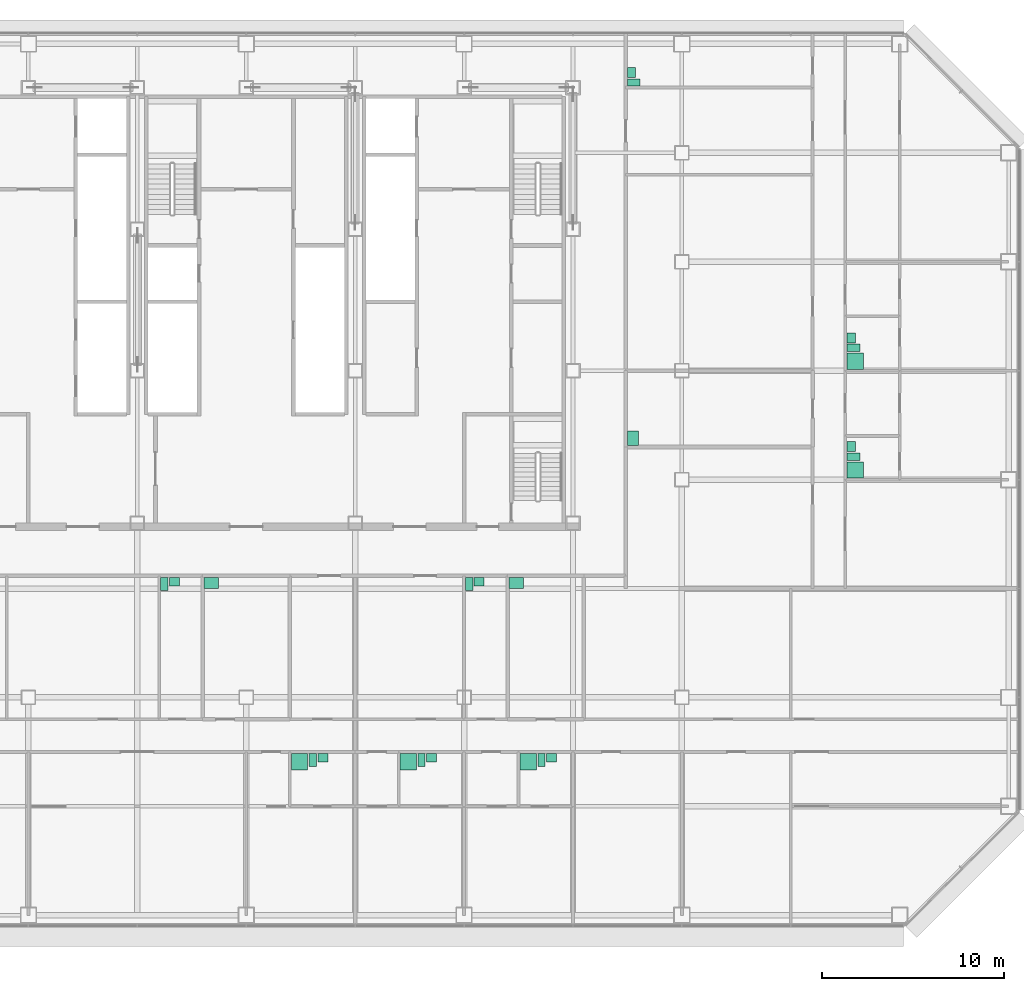
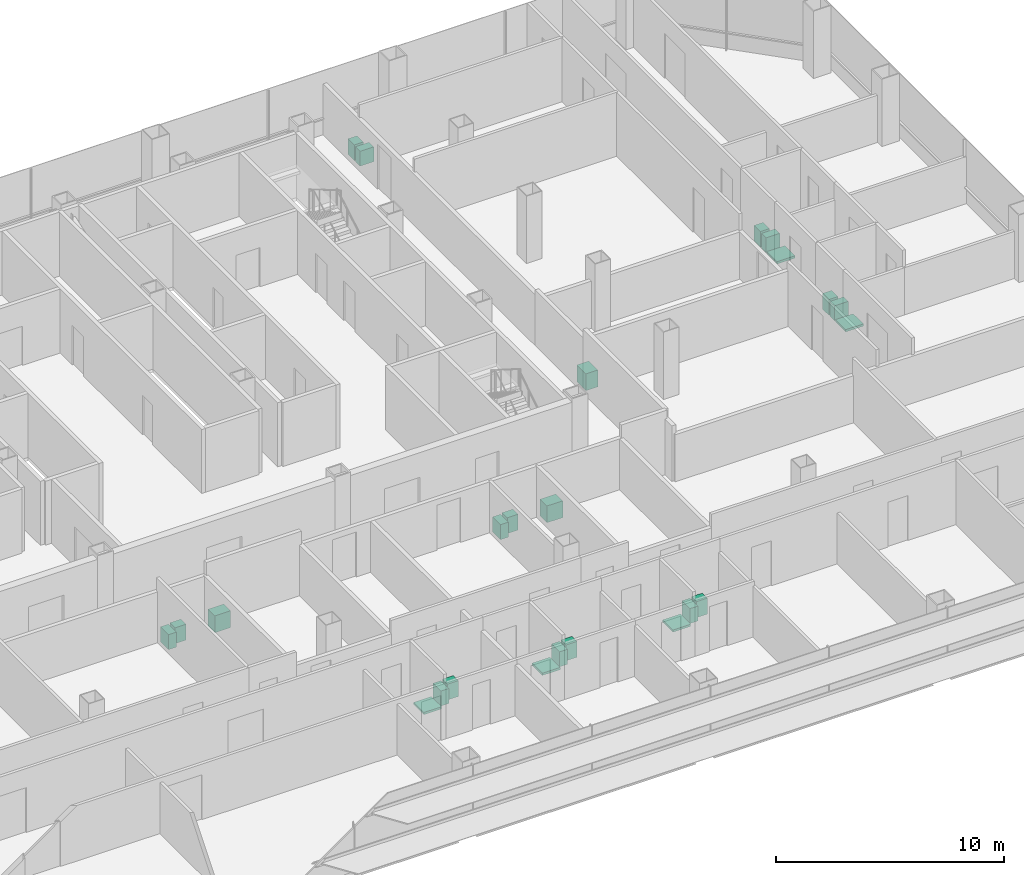
# One storey, part 26 of 26: 24 sanitary terminals.
"""IFC4 building model written with IfcOpenShell, lengths in metres."""

from ifc_helpers import new_model, si_unit, direction, frame, origin, origin_2d, place, context, subcontext, project, spatial, rectangle, extrude, element, save


model = new_model("IFC4")

# Units and contexts
model_context = context("Model", 3, precision=1e-05, world=origin(), true_north=direction((0.0, 1.0)))
body_context = subcontext(model_context, "Body", "Model", "MODEL_VIEW")
ifc_project = project(units=[si_unit("LENGTHUNIT", "METRE"), si_unit("AREAUNIT", "SQUARE_METRE"), si_unit("VOLUMEUNIT", "CUBIC_METRE"), si_unit("PLANEANGLEUNIT", "RADIAN"), si_unit("MASSUNIT", "GRAM", prefix="KILO")], contexts=[model_context])

# Site, building, storey
site_placement = place(None, origin())
site = spatial("IfcSite", under=ifc_project, at=site_placement, CompositionType="ELEMENT")
building_placement = place(site_placement, origin())
building = spatial("IfcBuilding", under=site, at=building_placement, Name="Sorahane Residences", CompositionType="ELEMENT")
storey_placement = place(building_placement, frame((0.0, 0.0, 71.39990234375)))
storey = spatial("IfcBuildingStorey", under=building, at=storey_placement, Name="L14", CompositionType="ELEMENT", Elevation=71.39990234375)

# Sanitary terminals
sanitary_terminal_1_placement = place(storey_placement, frame((26.929931640625, 8.449951171875, 0.0), z_axis=(0.0, 0.0, 1.0), x_axis=(1.0, 0.0, 0.0)))
element("IfcSanitaryTerminal", 1, at=sanitary_terminal_1_placement, inside=storey, Name="Shower tray En-suite bathroom 14A", PredefinedType="SHOWER", context=body_context, shape_type="SweptSolid", body=[
    extrude(rectangle(XDim=0.89990234375, YDim=0.89990234375, at=origin_2d()), origin(), (0.0, 0.0, 1.0), 0.1201171875),
])
sanitary_terminal_2_placement = place(storey_placement, frame((27.659912109375, 8.550048828125, 0.0), z_axis=(0.0, 0.0, 1.0), x_axis=(1.0, 0.0, 0.0)))
element("IfcSanitaryTerminal", 2, at=sanitary_terminal_2_placement, inside=storey, Name="WC pan En-suite bathroom 14A", PredefinedType="TOILETPAN", context=body_context, shape_type="SweptSolid", body=[
    extrude(rectangle(XDim=0.39990234375, YDim=0.699951171875, at=origin_2d()), origin(), (0.0, 0.0, 1.0), 0.800048828125),
])
sanitary_terminal_3_placement = place(storey_placement, frame((28.215087890625, 8.675048828125, 0.0), z_axis=(0.0, 0.0, 1.0), x_axis=(1.0, 0.0, 0.0)))
element("IfcSanitaryTerminal", 3, at=sanitary_terminal_3_placement, inside=storey, Name="Wash basin En-suite bathroom 14A", PredefinedType="WASHHANDBASIN", context=body_context, shape_type="SweptSolid", body=[
    extrude(rectangle(XDim=0.550048828125, YDim=0.449951171875, at=origin_2d()), origin(), (0.0, 0.0, 1.0), 0.85009765625),
])
sanitary_terminal_4_placement = place(storey_placement, frame((19.47998046875, 18.25, 0.0), z_axis=(0.0, 0.0, 1.0), x_axis=(1.0, 0.0, 0.0)))
element("IfcSanitaryTerminal", 4, at=sanitary_terminal_4_placement, inside=storey, Name="WC pan Guest WC 14A", PredefinedType="TOILETPAN", context=body_context, shape_type="SweptSolid", body=[
    extrude(rectangle(XDim=0.39990234375, YDim=0.699951171875, at=origin_2d()), origin(), (0.0, 0.0, 1.0), 0.800048828125),
])
sanitary_terminal_5_placement = place(storey_placement, frame((20.034912109375, 18.375, 0.0), z_axis=(0.0, 0.0, 1.0), x_axis=(1.0, 0.0, 0.0)))
element("IfcSanitaryTerminal", 5, at=sanitary_terminal_5_placement, inside=storey, Name="Wash basin Guest WC 14A", PredefinedType="WASHHANDBASIN", context=body_context, shape_type="SweptSolid", body=[
    extrude(rectangle(XDim=0.550048828125, YDim=0.449951171875, at=origin_2d()), origin(), (0.0, 0.0, 1.0), 0.85009765625),
])
sanitary_terminal_6_placement = place(storey_placement, frame((22.080078125, 18.300048828125, 0.000244140625), z_axis=(0.0, 0.0, 1.0), x_axis=(1.0, 0.0, 0.0)))
element("IfcSanitaryTerminal", 6, at=sanitary_terminal_6_placement, inside=storey, Name="Kitchen sink Kitchen 14A", PredefinedType="SINK", context=body_context, shape_type="SweptSolid", body=[
    extrude(rectangle(XDim=0.800048828125, YDim=0.60009765625, at=origin_2d()), origin(), (0.0, 0.0, 1.0), 0.89990234375),
])
sanitary_terminal_7_placement = place(storey_placement, frame((32.929931640625, 8.449951171875, 0.0), z_axis=(0.0, 0.0, 1.0), x_axis=(1.0, 0.0, 0.0)))
element("IfcSanitaryTerminal", 7, at=sanitary_terminal_7_placement, inside=storey, Name="Shower tray En-suite bathroom 14B", PredefinedType="SHOWER", context=body_context, shape_type="SweptSolid", body=[
    extrude(rectangle(XDim=0.89990234375, YDim=0.89990234375, at=origin_2d()), origin(), (0.0, 0.0, 1.0), 0.1201171875),
])
sanitary_terminal_8_placement = place(storey_placement, frame((33.659912109375, 8.550048828125, 0.0), z_axis=(0.0, 0.0, 1.0), x_axis=(1.0, 0.0, 0.0)))
element("IfcSanitaryTerminal", 8, at=sanitary_terminal_8_placement, inside=storey, Name="WC pan En-suite bathroom 14B", PredefinedType="TOILETPAN", context=body_context, shape_type="SweptSolid", body=[
    extrude(rectangle(XDim=0.39990234375, YDim=0.699951171875, at=origin_2d()), origin(), (0.0, 0.0, 1.0), 0.800048828125),
])
sanitary_terminal_9_placement = place(storey_placement, frame((34.215087890625, 8.675048828125, 0.0), z_axis=(0.0, 0.0, 1.0), x_axis=(1.0, 0.0, 0.0)))
element("IfcSanitaryTerminal", 9, at=sanitary_terminal_9_placement, inside=storey, Name="Wash basin En-suite bathroom 14B", PredefinedType="WASHHANDBASIN", context=body_context, shape_type="SweptSolid", body=[
    extrude(rectangle(XDim=0.550048828125, YDim=0.449951171875, at=origin_2d()), origin(), (0.0, 0.0, 1.0), 0.85009765625),
])
sanitary_terminal_10_placement = place(storey_placement, frame((39.530029296875, 8.449951171875, 0.0), z_axis=(0.0, 0.0, 1.0), x_axis=(1.0, 0.0, 0.0)))
element("IfcSanitaryTerminal", 10, at=sanitary_terminal_10_placement, inside=storey, Name="Shower tray En-suite bathroom 14B-2", PredefinedType="SHOWER", context=body_context, shape_type="SweptSolid", body=[
    extrude(rectangle(XDim=0.89990234375, YDim=0.89990234375, at=origin_2d()), origin(), (0.0, 0.0, 1.0), 0.1201171875),
])
sanitary_terminal_11_placement = place(storey_placement, frame((40.260009765625, 8.550048828125, 0.0), z_axis=(0.0, 0.0, 1.0), x_axis=(1.0, 0.0, 0.0)))
element("IfcSanitaryTerminal", 11, at=sanitary_terminal_11_placement, inside=storey, Name="WC pan En-suite bathroom 14B-2", PredefinedType="TOILETPAN", context=body_context, shape_type="SweptSolid", body=[
    extrude(rectangle(XDim=0.39990234375, YDim=0.699951171875, at=origin_2d()), origin(), (0.0, 0.0, 1.0), 0.800048828125),
])
sanitary_terminal_12_placement = place(storey_placement, frame((40.81494140625, 8.675048828125, 0.0), z_axis=(0.0, 0.0, 1.0), x_axis=(1.0, 0.0, 0.0)))
element("IfcSanitaryTerminal", 12, at=sanitary_terminal_12_placement, inside=storey, Name="Wash basin En-suite bathroom 14B-2", PredefinedType="WASHHANDBASIN", context=body_context, shape_type="SweptSolid", body=[
    extrude(rectangle(XDim=0.550048828125, YDim=0.449951171875, at=origin_2d()), origin(), (0.0, 0.0, 1.0), 0.85009765625),
])
sanitary_terminal_13_placement = place(storey_placement, frame((36.280029296875, 18.25, 0.0), z_axis=(0.0, 0.0, 1.0), x_axis=(1.0, 0.0, 0.0)))
element("IfcSanitaryTerminal", 13, at=sanitary_terminal_13_placement, inside=storey, Name="WC pan Guest WC 14B", PredefinedType="TOILETPAN", context=body_context, shape_type="SweptSolid", body=[
    extrude(rectangle(XDim=0.39990234375, YDim=0.699951171875, at=origin_2d()), origin(), (0.0, 0.0, 1.0), 0.800048828125),
])
sanitary_terminal_14_placement = place(storey_placement, frame((36.8349609375, 18.375, 0.0), z_axis=(0.0, 0.0, 1.0), x_axis=(1.0, 0.0, 0.0)))
element("IfcSanitaryTerminal", 14, at=sanitary_terminal_14_placement, inside=storey, Name="Wash basin Guest WC 14B", PredefinedType="WASHHANDBASIN", context=body_context, shape_type="SweptSolid", body=[
    extrude(rectangle(XDim=0.550048828125, YDim=0.449951171875, at=origin_2d()), origin(), (0.0, 0.0, 1.0), 0.85009765625),
])
sanitary_terminal_15_placement = place(storey_placement, frame((38.8798828125, 18.300048828125, 0.000244140625), z_axis=(0.0, 0.0, 1.0), x_axis=(1.0, 0.0, 0.0)))
element("IfcSanitaryTerminal", 15, at=sanitary_terminal_15_placement, inside=storey, Name="Kitchen sink Kitchen 14B", PredefinedType="SINK", context=body_context, shape_type="SweptSolid", body=[
    extrude(rectangle(XDim=0.800048828125, YDim=0.60009765625, at=origin_2d()), origin(), (0.0, 0.0, 1.0), 0.89990234375),
])
sanitary_terminal_16_placement = place(storey_placement, frame((57.550048828125, 24.530029296875, 0.0), z_axis=(0.0, 0.0, 1.0), x_axis=(0.0, 1.0, 0.0)))
element("IfcSanitaryTerminal", 16, at=sanitary_terminal_16_placement, inside=storey, Name="Shower tray En-suite bathroom 14C", PredefinedType="SHOWER", context=body_context, shape_type="SweptSolid", body=[
    extrude(rectangle(XDim=0.89990234375, YDim=0.89990234375, at=origin_2d()), origin(), (0.0, 0.0, 1.0), 0.1201171875),
])
sanitary_terminal_17_placement = place(storey_placement, frame((57.449951171875, 25.260009765625, 0.0), z_axis=(0.0, 0.0, 1.0), x_axis=(0.0, 1.0, 0.0)))
element("IfcSanitaryTerminal", 17, at=sanitary_terminal_17_placement, inside=storey, Name="WC pan En-suite bathroom 14C", PredefinedType="TOILETPAN", context=body_context, shape_type="SweptSolid", body=[
    extrude(rectangle(XDim=0.39990234375, YDim=0.699951171875, at=origin_2d()), origin(), (0.0, 0.0, 1.0), 0.800048828125),
])
sanitary_terminal_18_placement = place(storey_placement, frame((57.324951171875, 25.81494140625, 0.0), z_axis=(0.0, 0.0, 1.0), x_axis=(0.0, 1.0, 0.0)))
element("IfcSanitaryTerminal", 18, at=sanitary_terminal_18_placement, inside=storey, Name="Wash basin En-suite bathroom 14C", PredefinedType="WASHHANDBASIN", context=body_context, shape_type="SweptSolid", body=[
    extrude(rectangle(XDim=0.550048828125, YDim=0.449951171875, at=origin_2d()), origin(), (0.0, 0.0, 1.0), 0.85009765625),
])
sanitary_terminal_19_placement = place(storey_placement, frame((57.550048828125, 30.530029296875, 0.0), z_axis=(0.0, 0.0, 1.0), x_axis=(0.0, 1.0, 0.0)))
element("IfcSanitaryTerminal", 19, at=sanitary_terminal_19_placement, inside=storey, Name="Shower tray En-suite bathroom 14C-2", PredefinedType="SHOWER", context=body_context, shape_type="SweptSolid", body=[
    extrude(rectangle(XDim=0.89990234375, YDim=0.89990234375, at=origin_2d()), origin(), (0.0, 0.0, 1.0), 0.1201171875),
])
sanitary_terminal_20_placement = place(storey_placement, frame((57.449951171875, 31.260009765625, 0.0), z_axis=(0.0, 0.0, 1.0), x_axis=(0.0, 1.0, 0.0)))
element("IfcSanitaryTerminal", 20, at=sanitary_terminal_20_placement, inside=storey, Name="WC pan En-suite bathroom 14C-2", PredefinedType="TOILETPAN", context=body_context, shape_type="SweptSolid", body=[
    extrude(rectangle(XDim=0.39990234375, YDim=0.699951171875, at=origin_2d()), origin(), (0.0, 0.0, 1.0), 0.800048828125),
])
sanitary_terminal_21_placement = place(storey_placement, frame((57.324951171875, 31.81494140625, 0.0), z_axis=(0.0, 0.0, 1.0), x_axis=(0.0, 1.0, 0.0)))
element("IfcSanitaryTerminal", 21, at=sanitary_terminal_21_placement, inside=storey, Name="Wash basin En-suite bathroom 14C-2", PredefinedType="WASHHANDBASIN", context=body_context, shape_type="SweptSolid", body=[
    extrude(rectangle(XDim=0.550048828125, YDim=0.449951171875, at=origin_2d()), origin(), (0.0, 0.0, 1.0), 0.85009765625),
])
sanitary_terminal_22_placement = place(storey_placement, frame((45.300048828125, 26.280029296875, 0.000244140625), z_axis=(0.0, 0.0, 1.0), x_axis=(0.0, 1.0, 0.0)))
element("IfcSanitaryTerminal", 22, at=sanitary_terminal_22_placement, inside=storey, Name="Kitchen sink Kitchen 14C", PredefinedType="SINK", context=body_context, shape_type="SweptSolid", body=[
    extrude(rectangle(XDim=0.800048828125, YDim=0.60009765625, at=origin_2d()), origin(), (0.0, 0.0, 1.0), 0.89990234375),
])
sanitary_terminal_23_placement = place(storey_placement, frame((45.35009765625, 45.8798828125, 0.0), z_axis=(0.0, 0.0, 1.0), x_axis=(0.0, 1.0, 0.0)))
element("IfcSanitaryTerminal", 23, at=sanitary_terminal_23_placement, inside=storey, Name="WC pan Powder room 14C", PredefinedType="TOILETPAN", context=body_context, shape_type="SweptSolid", body=[
    extrude(rectangle(XDim=0.39990234375, YDim=0.699951171875, at=origin_2d()), origin(), (0.0, 0.0, 1.0), 0.800048828125),
])
sanitary_terminal_24_placement = place(storey_placement, frame((45.22509765625, 46.43505859375, 0.0), z_axis=(0.0, 0.0, 1.0), x_axis=(0.0, 1.0, 0.0)))
element("IfcSanitaryTerminal", 24, at=sanitary_terminal_24_placement, inside=storey, Name="Wash basin Powder room 14C", PredefinedType="WASHHANDBASIN", context=body_context, shape_type="SweptSolid", body=[
    extrude(rectangle(XDim=0.550048828125, YDim=0.449951171875, at=origin_2d()), origin(), (0.0, 0.0, 1.0), 0.85009765625),
])

save(model, "model.ifc")
